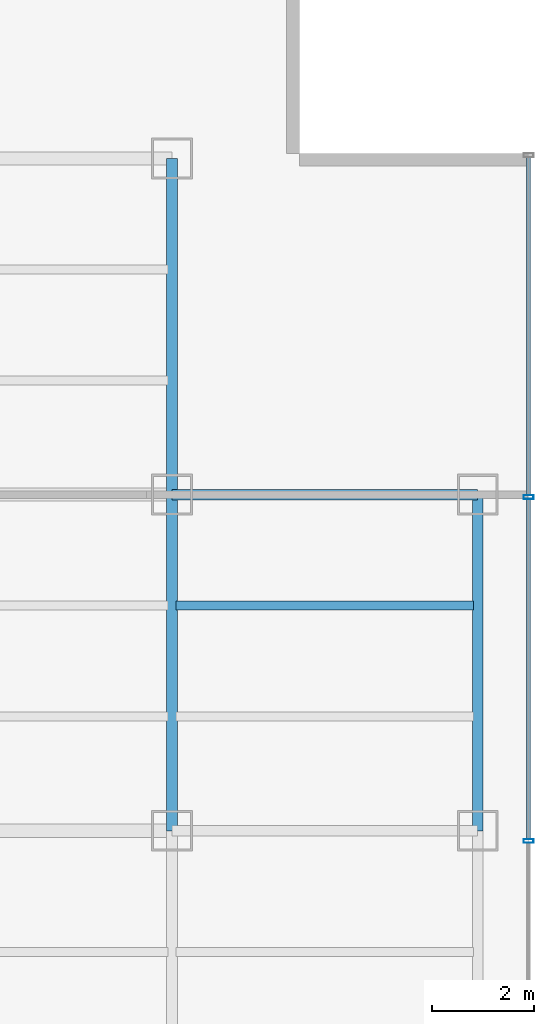
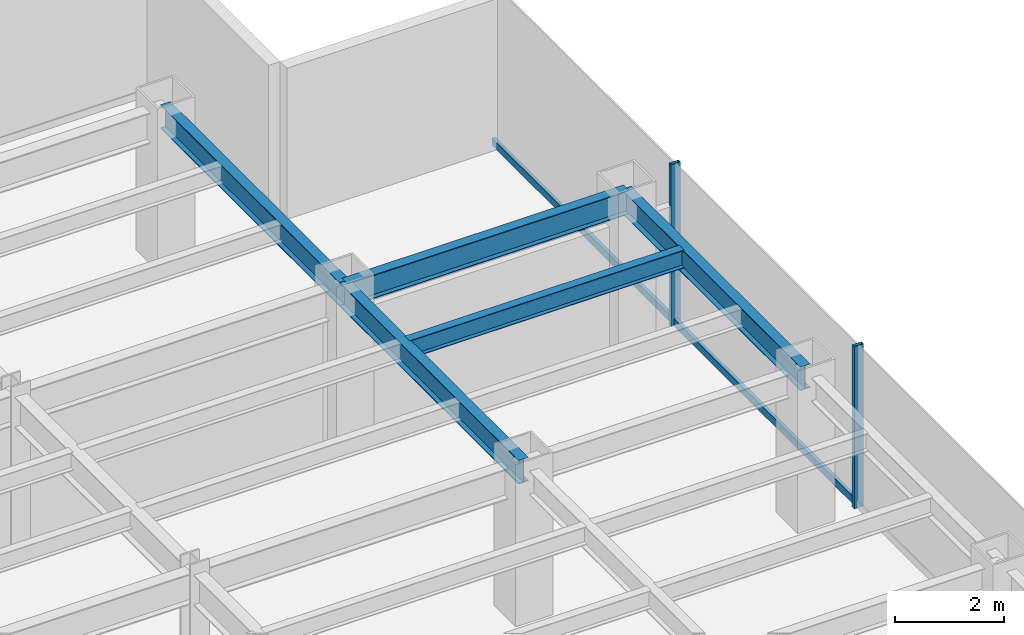
# One storey, part 12 of 26: 5 beams, 4 members, 1 element without a shape of its own.
"""IFC4 building model written with IfcOpenShell, lengths in metres."""

from ifc_helpers import new_model, si_unit, derived_unit, direction, frame, origin, origin_2d, place, context, subcontext, project, spatial, hollow_rectangle, i_section, extrude, source, transform, mapped, material, material_profile, profile_set, type_object, element, aggregate, save


model = new_model("IFC4")

# Units and contexts
model_context = context("Model", 3, precision=1e-05, world=origin(), true_north=direction((0.0, 1.0)))
body_context = subcontext(model_context, "Body", "Model", "MODEL_VIEW")
ifc_project = project(units=[si_unit("LENGTHUNIT", "METRE"), si_unit("AREAUNIT", "SQUARE_METRE"), si_unit("VOLUMEUNIT", "CUBIC_METRE"), si_unit("PLANEANGLEUNIT", "RADIAN"), si_unit("MASSUNIT", "GRAM", prefix="KILO"), derived_unit("THERMALTRANSMITTANCEUNIT", [(si_unit("POWERUNIT", "WATT"), 1), (si_unit("LENGTHUNIT", "METRE"), -2), (si_unit("THERMODYNAMICTEMPERATUREUNIT", "KELVIN"), -1)])], contexts=[model_context])

# Site, building, storey
site_placement = place(None, origin())
site = spatial("IfcSite", under=ifc_project, at=site_placement, CompositionType="ELEMENT")
building_placement = place(site_placement, origin())
building = spatial("IfcBuilding", under=site, at=building_placement, Name="Skarnbrae Concourse Arena and Tower", CompositionType="ELEMENT")
storey_placement = place(building_placement, frame((0.0, 0.0, 92.300048828125)))
storey = spatial("IfcBuildingStorey", under=building, at=storey_placement, Name="L22", CompositionType="ELEMENT", Elevation=92.300048828125)

# Beams
ifc_material_1 = material(Name="Steel CSA G40.21 350W", Category="steel")
ifc_material_profile_1 = material_profile(ifc_material_1, i_section(OverallWidth=0.208984375, OverallDepth=0.532958984375, WebThickness=0.01025390625, FlangeThickness=0.015625, at=origin_2d()), Name="W530X92")
ifc_profile_set_1 = profile_set([ifc_material_profile_1], Name="Steel CSA G40.21 350W")
beam_type_1 = type_object("IfcBeamType", Name="BM-SPAN-W530X92", PredefinedType="SPANDREL", material=ifc_profile_set_1)
shared_shape_1 = source(origin(), body_context, "Body", "SweptSolid", [
    extrude(i_section(OverallWidth=0.208984375, OverallDepth=0.532958984375, WebThickness=0.01025390625, FlangeThickness=0.015625, at=origin_2d()), origin(), (0.0, 0.0, 1.0), 6.0),
])
beam_1_placement = place(storey_placement, frame((49.0, 27.800048828125, 3.133544921875), z_axis=(1.0, 0.0, 0.0), x_axis=(0.0, 1.0, 0.0)))
element("IfcBeam", 1, at=beam_1_placement, inside=storey, type_object=beam_type_1, Name="L22 Perimeter spandrel Y27.8-8", PredefinedType="SPANDREL", context=body_context, shape_type="MappedRepresentation", body=[
    mapped(shared_shape_1, transform((0.0, 0.0, 0.0))),
])
shared_shape_2 = source(origin(), body_context, "Body", "SweptSolid", [
    extrude(i_section(OverallWidth=0.208984375, OverallDepth=0.532958984375, WebThickness=0.01025390625, FlangeThickness=0.015625, at=origin_2d()), origin(), (0.0, 0.0, 1.0), 6.60009765625),
])
for number, where, z_axis, x_axis, name in (
    (2, (49.0, 21.199951171875, 3.133544921875), (0.0, 1.0, 0.0), (-1.0, 0.0, 0.0), "L22 Perimeter spandrel X49.0-3"),
    (3, (55.0, 21.199951171875, 3.133544921875), (0.0, 1.0, 0.0), (-1.0, 0.0, 0.0), "L22 Perimeter spandrel X55.0-3"),
):
    element("IfcBeam", number, at=place(storey_placement, frame(where, z_axis=z_axis, x_axis=x_axis)), inside=storey, type_object=beam_type_1, Name=name, PredefinedType="SPANDREL", context=body_context, shape_type="MappedRepresentation", body=[
        mapped(shared_shape_2, transform((0.0, 0.0, 0.0))),
    ])
shared_shape_3 = source(origin(), body_context, "Body", "SweptSolid", [
    extrude(i_section(OverallWidth=0.208984375, OverallDepth=0.532958984375, WebThickness=0.01025390625, FlangeThickness=0.015625, at=origin_2d()), origin(), (0.0, 0.0, 1.0), 6.599853515625),
])
beam_2_placement = place(storey_placement, frame((49.0, 27.800048828125, 3.133544921875), z_axis=(0.0, 1.0, 0.0), x_axis=(-1.0, 0.0, 0.0)))
element("IfcBeam", 4, at=beam_2_placement, inside=storey, type_object=beam_type_1, Name="L22 Perimeter spandrel X49.0-4", PredefinedType="SPANDREL", context=body_context, shape_type="MappedRepresentation", body=[
    mapped(shared_shape_3, transform((0.0, 0.0, 0.0))),
])
ifc_material_profile_2 = material_profile(ifc_material_1, i_section(OverallWidth=0.177978515625, OverallDepth=0.406982421875, WebThickness=0.0078125, FlangeThickness=0.0126953125, at=origin_2d()), Name="W410X60")
ifc_profile_set_2 = profile_set([ifc_material_profile_2], Name="Steel CSA G40.21 350W")
beam_type_2 = type_object("IfcBeamType", Name="BM-JOIST-W410X60", PredefinedType="JOIST", material=ifc_profile_set_2)
shared_shape_4 = source(origin(), body_context, "Body", "SweptSolid", [
    extrude(i_section(OverallWidth=0.177978515625, OverallDepth=0.406982421875, WebThickness=0.0078125, FlangeThickness=0.0126953125, at=origin_2d()), origin(), (0.0, 0.0, 1.0), 5.83984375),
])
beam_3_placement = place(storey_placement, frame((49.080078125, 25.6220703125, 3.196533203125), z_axis=(1.0, 0.0, 0.0), x_axis=(0.0, 1.0, 0.0)))
element("IfcBeam", 5, at=beam_3_placement, inside=storey, type_object=beam_type_2, Name="L22 Secondary floor joist 2.2.8", PredefinedType="JOIST", context=body_context, shape_type="MappedRepresentation", body=[
    mapped(shared_shape_4, transform((0.0, 0.0, 0.0))),
])

# Curtain wall, members
ifc_material_2 = material(Name="Bronze anodised aluminium 6063-T6", Category="aluminium")
curtain_wall_type = type_object("IfcCurtainWallType", Name="CW-SYS-04-MIDZONE", PredefinedType="USERDEFINED", material=ifc_material_2)
curtain_wall_placement = place(storey_placement, origin())
curtain_wall = element("IfcCurtainWall", 6, at=curtain_wall_placement, inside=storey, type_object=curtain_wall_type, Name="L22 Unitised curtain wall CW-L22-E04", ObjectType="UNITISED CURTAIN WALL", PredefinedType="USERDEFINED")
ifc_material_profile_3 = material_profile(ifc_material_2, hollow_rectangle(XDim=0.074951171875, YDim=0.195068359375, WallThickness=0.00439453125, at=origin_2d()), Name="ALU-MULL-75X195")
ifc_profile_set_3 = profile_set([ifc_material_profile_3], Name="Bronze anodised aluminium 6063-T6")
member_type_1 = type_object("IfcMemberType", Name="CWM-CW-04", PredefinedType="MULLION", material=ifc_profile_set_3)
shared_shape_5 = source(origin(), body_context, "Body", "SweptSolid", [
    extrude(hollow_rectangle(XDim=0.074951171875, YDim=0.195068359375, WallThickness=0.00439453125, at=origin_2d()), origin(), (0.0, 0.0, 1.0), 3.64990234375),
])
member_1_placement = place(storey_placement, frame((56.0, 21.0, 0.0), z_axis=(0.0, 0.0, 1.0), x_axis=(0.0, 1.0, 0.0)))
member_1 = element("IfcMember", 7, at=member_1_placement, type_object=member_type_1, Name="CW-L22-E04 Mullion 3", PredefinedType="MULLION", context=body_context, shape_type="MappedRepresentation", body=[
    mapped(shared_shape_5, transform((0.0, 0.0, 0.0))),
])
member_2_placement = place(storey_placement, frame((56.0, 27.75, 0.0), z_axis=(0.0, 0.0, 1.0), x_axis=(0.0, 1.0, 0.0)))
member_2 = element("IfcMember", 8, at=member_2_placement, type_object=member_type_1, Name="CW-L22-E04 Mullion 4", PredefinedType="MULLION", context=body_context, shape_type="MappedRepresentation", body=[
    mapped(shared_shape_5, transform((0.0, 0.0, 0.0))),
])
ifc_material_profile_4 = material_profile(ifc_material_2, hollow_rectangle(XDim=0.074951171875, YDim=0.159912109375, WallThickness=0.00439453125, at=origin_2d()), Name="ALU-TRAN-75X160")
ifc_profile_set_4 = profile_set([ifc_material_profile_4], Name="Bronze anodised aluminium 6063-T6")
member_type_2 = type_object("IfcMemberType", Name="CWT-CW-04", PredefinedType="USERDEFINED", material=ifc_profile_set_4)
shared_shape_6 = source(origin(), body_context, "Body", "SweptSolid", [
    extrude(hollow_rectangle(XDim=0.074951171875, YDim=0.159912109375, WallThickness=0.00439453125, at=origin_2d()), origin(), (0.0, 0.0, 1.0), 6.637451171875),
])
member_3_placement = place(storey_placement, frame((56.0, 27.78759765625, 0.079833984375), z_axis=(0.0, 1.0, 0.0), x_axis=(-1.0, 0.0, 0.0)))
member_3 = element("IfcMember", 9, at=member_3_placement, type_object=member_type_2, Name="CW-L22-E04 Transom 4", ObjectType="TRANSOM", PredefinedType="USERDEFINED", context=body_context, shape_type="MappedRepresentation", body=[
    mapped(shared_shape_6, transform((0.0, 0.0, 0.0))),
])
shared_shape_7 = source(origin(), body_context, "Body", "SweptSolid", [
    extrude(hollow_rectangle(XDim=0.074951171875, YDim=0.159912109375, WallThickness=0.00439453125, at=origin_2d()), origin(), (0.0, 0.0, 1.0), 6.6748046875),
])
member_4_placement = place(storey_placement, frame((56.0, 21.03759765625, 0.079833984375), z_axis=(0.0, 1.0, 0.0), x_axis=(-1.0, 0.0, 0.0)))
member_4 = element("IfcMember", 10, at=member_4_placement, type_object=member_type_2, Name="CW-L22-E04 Transom 3", ObjectType="TRANSOM", PredefinedType="USERDEFINED", context=body_context, shape_type="MappedRepresentation", body=[
    mapped(shared_shape_7, transform((0.0, 0.0, 0.0))),
])
aggregate(curtain_wall, [member_1, member_2, member_4, member_3])

save(model, "model.ifc")
